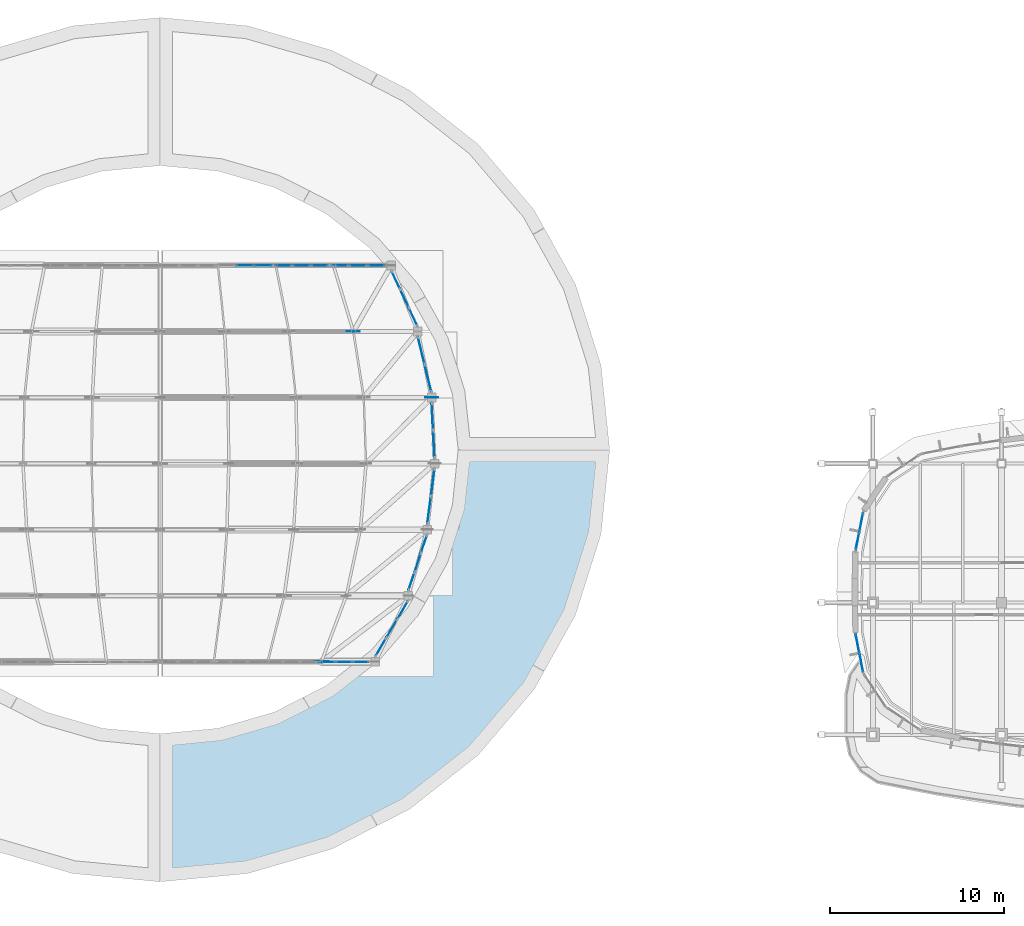
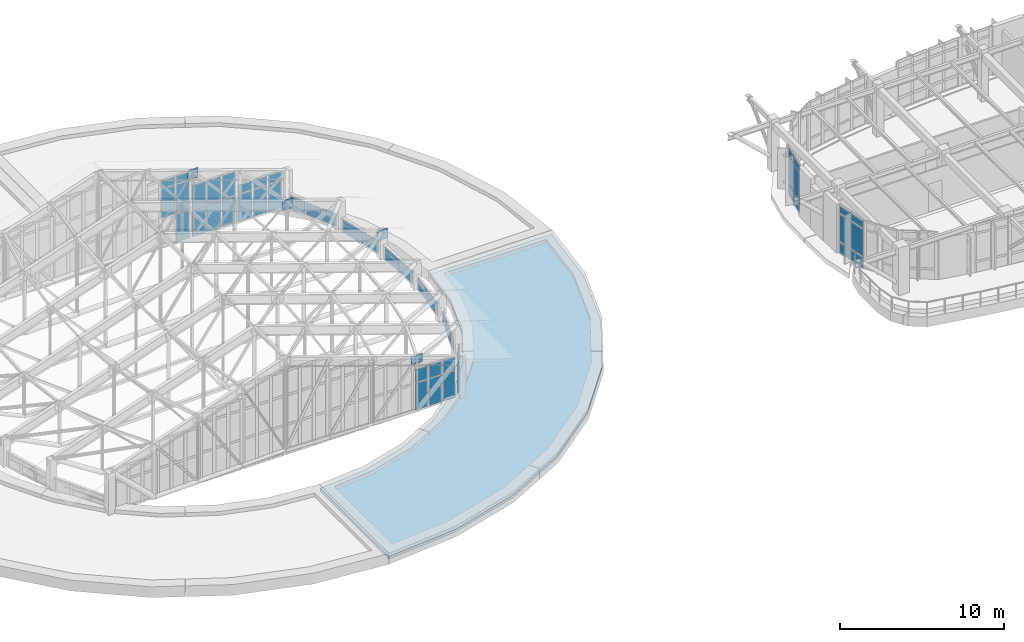
# One storey, part 61 of 105: 54 plates, 1 slab, 12 elements without a shape of their own.
"""IFC4 building model written with IfcOpenShell, lengths in metres."""

from ifc_helpers import new_model, si_unit, direction, frame, origin, origin_2d, place, context, subcontext, project, spatial, polyline, rectangle, outline, extrude, material, layer, layer_set, type_object, element, aggregate, save


model = new_model("IFC4")

# Units and contexts
model_context = context("Model", 3, precision=1e-05, world=origin(), true_north=direction((0.0, 1.0)))
body_context = subcontext(model_context, "Body", "Model", "MODEL_VIEW")
ifc_project = project(units=[si_unit("LENGTHUNIT", "METRE"), si_unit("AREAUNIT", "SQUARE_METRE"), si_unit("VOLUMEUNIT", "CUBIC_METRE"), si_unit("PLANEANGLEUNIT", "RADIAN"), si_unit("MASSUNIT", "GRAM", prefix="KILO")], contexts=[model_context])

# Site, building, storey
site_placement = place(None, origin())
site = spatial("IfcSite", under=ifc_project, at=site_placement, CompositionType="ELEMENT")
building_placement = place(site_placement, origin())
building = spatial("IfcBuilding", under=site, at=building_placement, Name="Corveleigh Park Community Centre", CompositionType="ELEMENT")
storey_placement = place(building_placement, frame((0.0, 0.0, 8.699951171875)))
storey = spatial("IfcBuildingStorey", under=building, at=storey_placement, Name="L02", CompositionType="ELEMENT", Elevation=8.699951171875)

# Curtain wall, plates
ifc_material_1 = material(Name="Anodised aluminium 6063-T6", Category="aluminium")
curtain_wall_type_1 = type_object("IfcCurtainWallType", Name="CW-SYS-V1-DRUM", PredefinedType="NOTDEFINED", material=ifc_material_1)
curtain_wall_1_placement = place(storey_placement, origin())
curtain_wall_1 = element("IfcCurtainWall", 1, at=curtain_wall_1_placement, inside=storey, type_object=curtain_wall_type_1, Name="Main Hall S Gable Clerestory 8", PredefinedType="NOTDEFINED")
ifc_material_2 = material(Name="Low-E double glazing", Category="glass")
ifc_layer_1 = layer(ifc_material_2, 0.028076171875, Name="Low-E double glazing", Category="glass")
ifc_layer_set_1 = layer_set([ifc_layer_1], Name="Low-E double glazing")
plate_type_1 = type_object("IfcPlateType", Name="CWP-GLZ-28", PredefinedType="CURTAIN_PANEL", material=ifc_layer_set_1)
plate_1_placement = place(storey_placement, frame((40.6064453125, 15.39990234375, 0.070068359375), z_axis=(0.0, 0.0, 1.0), x_axis=(1.0, 0.0, 0.0)))
plate_1 = element("IfcPlate", 2, at=plate_1_placement, type_object=plate_type_1, Name="CW02 panel 1.1", PredefinedType="CURTAIN_PANEL", context=body_context, shape_type="SweptSolid", body=[
    extrude(rectangle(XDim=0.874755859375, YDim=0.028076171875, at=origin_2d()), origin(), (0.0, 0.0, 1.0), 1.9951171875),
])
plate_2_placement = place(storey_placement, frame((40.6064453125, 15.39990234375, 2.13525390625), z_axis=(0.0, 0.0, 1.0), x_axis=(1.0, 0.0, 0.0)))
plate_2 = element("IfcPlate", 3, at=plate_2_placement, type_object=plate_type_1, Name="CW02 panel 1.2", PredefinedType="CURTAIN_PANEL", context=body_context, shape_type="SweptSolid", body=[
    extrude(rectangle(XDim=0.874755859375, YDim=0.028076171875, at=origin_2d()), origin(), (0.0, 0.0, 1.0), 0.966064453125),
])
plate_3_placement = place(storey_placement, frame((41.574951171875, 15.39990234375, 0.070068359375), z_axis=(0.0, 0.0, 1.0), x_axis=(1.0, 0.0, 0.0)))
plate_3 = element("IfcPlate", 4, at=plate_3_placement, type_object=plate_type_1, Name="CW02 panel 2.1", PredefinedType="CURTAIN_PANEL", context=body_context, shape_type="SweptSolid", body=[
    extrude(rectangle(XDim=0.912353515625, YDim=0.028076171875, at=origin_2d()), origin(), (0.0, 0.0, 1.0), 1.9951171875),
])
plate_4_placement = place(storey_placement, frame((41.574951171875, 15.39990234375, 2.13525390625), z_axis=(0.0, 0.0, 1.0), x_axis=(1.0, 0.0, 0.0)))
plate_4 = element("IfcPlate", 5, at=plate_4_placement, type_object=plate_type_1, Name="CW02 panel 2.2", PredefinedType="CURTAIN_PANEL", context=body_context, shape_type="SweptSolid", body=[
    extrude(rectangle(XDim=0.912353515625, YDim=0.028076171875, at=origin_2d()), origin(), (0.0, 0.0, 1.0), 0.966064453125),
])
plate_5_placement = place(storey_placement, frame((42.543701171875, 15.39990234375, 0.070068359375), z_axis=(0.0, 0.0, 1.0), x_axis=(1.0, 0.0, 0.0)))
plate_5 = element("IfcPlate", 6, at=plate_5_placement, type_object=plate_type_1, Name="CW02 panel 3.1", PredefinedType="CURTAIN_PANEL", context=body_context, shape_type="SweptSolid", body=[
    extrude(rectangle(XDim=0.874755859375, YDim=0.028076171875, at=origin_2d()), origin(), (0.0, 0.0, 1.0), 1.9951171875),
])
plate_6_placement = place(storey_placement, frame((42.543701171875, 15.39990234375, 2.13525390625), z_axis=(0.0, 0.0, 1.0), x_axis=(1.0, 0.0, 0.0)))
plate_6 = element("IfcPlate", 7, at=plate_6_placement, type_object=plate_type_1, Name="CW02 panel 3.2", PredefinedType="CURTAIN_PANEL", context=body_context, shape_type="SweptSolid", body=[
    extrude(rectangle(XDim=0.874755859375, YDim=0.028076171875, at=origin_2d()), origin(), (0.0, 0.0, 1.0), 0.966064453125),
])
aggregate(curtain_wall_1, [plate_1, plate_2, plate_3, plate_4, plate_5, plate_6])

curtain_wall_2_placement = place(storey_placement, origin())
curtain_wall_2 = element("IfcCurtainWall", 8, at=curtain_wall_2_placement, inside=storey, type_object=curtain_wall_type_1, Name="Main Hall N Gable Clerestory 6", PredefinedType="NOTDEFINED")
plate_7_placement = place(storey_placement, frame((36.924072265625, 38.199951171875, 0.06982421875), z_axis=(0.0, 0.0, 1.0), x_axis=(-1.0, 0.0, 0.0)))
plate_7 = element("IfcPlate", 9, at=plate_7_placement, type_object=plate_type_1, Name="CW02 panel 1.1", PredefinedType="CURTAIN_PANEL", context=body_context, shape_type="SweptSolid", body=[
    extrude(rectangle(XDim=0.951904296875, YDim=0.028076171875, at=origin_2d()), origin(), (0.0, 0.0, 1.0), 2.094970703125),
])
plate_8_placement = place(storey_placement, frame((36.924072265625, 38.199951171875, 2.235107421875), z_axis=(0.0, 0.0, 1.0), x_axis=(-1.0, 0.0, 0.0)))
plate_8 = element("IfcPlate", 10, at=plate_8_placement, type_object=plate_type_1, Name="CW02 panel 1.2", PredefinedType="CURTAIN_PANEL", context=body_context, shape_type="SweptSolid", body=[
    extrude(rectangle(XDim=0.951904296875, YDim=0.028076171875, at=origin_2d()), origin(), (0.0, 0.0, 1.0), 2.1298828125),
])
plate_9_placement = place(storey_placement, frame((36.924072265625, 38.199951171875, 4.43505859375), z_axis=(0.0, 0.0, 1.0), x_axis=(-1.0, 0.0, 0.0)))
plate_9 = element("IfcPlate", 11, at=plate_9_placement, type_object=plate_type_1, Name="CW02 panel 1.3", PredefinedType="CURTAIN_PANEL", context=body_context, shape_type="SweptSolid", body=[
    extrude(rectangle(XDim=0.951904296875, YDim=0.028076171875, at=origin_2d()), origin(), (0.0, 0.0, 1.0), 0.572998046875),
])
plate_10_placement = place(storey_placement, frame((35.87841796875, 38.199951171875, 2.235107421875), z_axis=(0.0, 0.0, 1.0), x_axis=(-1.0, 0.0, 0.0)))
plate_10 = element("IfcPlate", 12, at=plate_10_placement, type_object=plate_type_1, Name="CW02 panel 2.2", PredefinedType="CURTAIN_PANEL", context=body_context, shape_type="SweptSolid", body=[
    extrude(rectangle(XDim=0.9892578125, YDim=0.028076171875, at=origin_2d()), origin(), (0.0, 0.0, 1.0), 2.1298828125),
])
plate_11_placement = place(storey_placement, frame((35.87841796875, 38.199951171875, 4.43505859375), z_axis=(0.0, 0.0, 1.0), x_axis=(-1.0, 0.0, 0.0)))
plate_11 = element("IfcPlate", 13, at=plate_11_placement, type_object=plate_type_1, Name="CW02 panel 2.3", PredefinedType="CURTAIN_PANEL", context=body_context, shape_type="SweptSolid", body=[
    extrude(rectangle(XDim=0.9892578125, YDim=0.028076171875, at=origin_2d()), origin(), (0.0, 0.0, 1.0), 0.572998046875),
])
aggregate(curtain_wall_2, [plate_7, plate_8, plate_9, plate_10, plate_11])

curtain_wall_3_placement = place(storey_placement, origin())
curtain_wall_3 = element("IfcCurtainWall", 14, at=curtain_wall_3_placement, inside=storey, type_object=curtain_wall_type_1, Name="Main Hall N Gable Clerestory 7", PredefinedType="NOTDEFINED")
plate_12_placement = place(storey_placement, frame((40.17626953125, 38.199951171875, 0.070068359375), z_axis=(0.0, 0.0, 1.0), x_axis=(-1.0, 0.0, 0.0)))
plate_12 = element("IfcPlate", 15, at=plate_12_placement, type_object=plate_type_1, Name="CW02 panel 1.1", PredefinedType="CURTAIN_PANEL", context=body_context, shape_type="SweptSolid", body=[
    extrude(rectangle(XDim=0.951416015625, YDim=0.028076171875, at=origin_2d()), origin(), (0.0, 0.0, 1.0), 1.9951171875),
])
plate_13_placement = place(storey_placement, frame((40.17626953125, 38.199951171875, 2.13525390625), z_axis=(0.0, 0.0, 1.0), x_axis=(-1.0, 0.0, 0.0)))
plate_13 = element("IfcPlate", 16, at=plate_13_placement, type_object=plate_type_1, Name="CW02 panel 1.2", PredefinedType="CURTAIN_PANEL", context=body_context, shape_type="SweptSolid", body=[
    extrude(rectangle(XDim=0.951416015625, YDim=0.028076171875, at=origin_2d()), origin(), (0.0, 0.0, 1.0), 1.761962890625),
])
plate_14_placement = place(storey_placement, frame((39.131103515625, 38.199951171875, 0.070068359375), z_axis=(0.0, 0.0, 1.0), x_axis=(-1.0, 0.0, 0.0)))
plate_14 = element("IfcPlate", 17, at=plate_14_placement, type_object=plate_type_1, Name="CW02 panel 2.1", PredefinedType="CURTAIN_PANEL", context=body_context, shape_type="SweptSolid", body=[
    extrude(rectangle(XDim=0.989013671875, YDim=0.028076171875, at=origin_2d()), origin(), (0.0, 0.0, 1.0), 1.9951171875),
])
plate_15_placement = place(storey_placement, frame((39.131103515625, 38.199951171875, 2.13525390625), z_axis=(0.0, 0.0, 1.0), x_axis=(-1.0, 0.0, 0.0)))
plate_15 = element("IfcPlate", 18, at=plate_15_placement, type_object=plate_type_1, Name="CW02 panel 2.2", PredefinedType="CURTAIN_PANEL", context=body_context, shape_type="SweptSolid", body=[
    extrude(rectangle(XDim=0.989013671875, YDim=0.028076171875, at=origin_2d()), origin(), (0.0, 0.0, 1.0), 1.761962890625),
])
plate_16_placement = place(storey_placement, frame((38.085693359375, 38.199951171875, 0.070068359375), z_axis=(0.0, 0.0, 1.0), x_axis=(-1.0, 0.0, 0.0)))
plate_16 = element("IfcPlate", 19, at=plate_16_placement, type_object=plate_type_1, Name="CW02 panel 3.1", PredefinedType="CURTAIN_PANEL", context=body_context, shape_type="SweptSolid", body=[
    extrude(rectangle(XDim=0.951416015625, YDim=0.028076171875, at=origin_2d()), origin(), (0.0, 0.0, 1.0), 1.9951171875),
])
plate_17_placement = place(storey_placement, frame((38.085693359375, 38.199951171875, 2.13525390625), z_axis=(0.0, 0.0, 1.0), x_axis=(-1.0, 0.0, 0.0)))
plate_17 = element("IfcPlate", 20, at=plate_17_placement, type_object=plate_type_1, Name="CW02 panel 3.2", PredefinedType="CURTAIN_PANEL", context=body_context, shape_type="SweptSolid", body=[
    extrude(rectangle(XDim=0.951416015625, YDim=0.028076171875, at=origin_2d()), origin(), (0.0, 0.0, 1.0), 1.761962890625),
])
aggregate(curtain_wall_3, [plate_12, plate_13, plate_14, plate_15, plate_16, plate_17])

curtain_wall_4_placement = place(storey_placement, origin())
curtain_wall_4 = element("IfcCurtainWall", 21, at=curtain_wall_4_placement, inside=storey, type_object=curtain_wall_type_1, Name="Main Hall N Gable Clerestory 8", PredefinedType="NOTDEFINED")
plate_18_placement = place(storey_placement, frame((43.42919921875, 38.199951171875, 0.070068359375), z_axis=(0.0, 0.0, 1.0), x_axis=(-1.0, 0.0, 0.0)))
plate_18 = element("IfcPlate", 22, at=plate_18_placement, type_object=plate_type_1, Name="CW02 panel 1.1", PredefinedType="CURTAIN_PANEL", context=body_context, shape_type="SweptSolid", body=[
    extrude(rectangle(XDim=0.951416015625, YDim=0.028076171875, at=origin_2d()), origin(), (0.0, 0.0, 1.0), 1.9951171875),
])
plate_19_placement = place(storey_placement, frame((43.42919921875, 38.199951171875, 2.135009765625), z_axis=(0.0, 0.0, 1.0), x_axis=(-1.0, 0.0, 0.0)))
plate_19 = element("IfcPlate", 23, at=plate_19_placement, type_object=plate_type_1, Name="CW02 panel 1.2", PredefinedType="CURTAIN_PANEL", context=body_context, shape_type="SweptSolid", body=[
    extrude(rectangle(XDim=0.951416015625, YDim=0.028076171875, at=origin_2d()), origin(), (0.0, 0.0, 1.0), 0.64990234375),
])
plate_20_placement = place(storey_placement, frame((42.384033203125, 38.199951171875, 0.070068359375), z_axis=(0.0, 0.0, 1.0), x_axis=(-1.0, 0.0, 0.0)))
plate_20 = element("IfcPlate", 24, at=plate_20_placement, type_object=plate_type_1, Name="CW02 panel 2.1", PredefinedType="CURTAIN_PANEL", context=body_context, shape_type="SweptSolid", body=[
    extrude(rectangle(XDim=0.989013671875, YDim=0.028076171875, at=origin_2d()), origin(), (0.0, 0.0, 1.0), 1.9951171875),
])
plate_21_placement = place(storey_placement, frame((42.384033203125, 38.199951171875, 2.135009765625), z_axis=(0.0, 0.0, 1.0), x_axis=(-1.0, 0.0, 0.0)))
plate_21 = element("IfcPlate", 25, at=plate_21_placement, type_object=plate_type_1, Name="CW02 panel 2.2", PredefinedType="CURTAIN_PANEL", context=body_context, shape_type="SweptSolid", body=[
    extrude(rectangle(XDim=0.989013671875, YDim=0.028076171875, at=origin_2d()), origin(), (0.0, 0.0, 1.0), 0.64990234375),
])
plate_22_placement = place(storey_placement, frame((41.3388671875, 38.199951171875, 0.070068359375), z_axis=(0.0, 0.0, 1.0), x_axis=(-1.0, 0.0, 0.0)))
plate_22 = element("IfcPlate", 26, at=plate_22_placement, type_object=plate_type_1, Name="CW02 panel 3.1", PredefinedType="CURTAIN_PANEL", context=body_context, shape_type="SweptSolid", body=[
    extrude(rectangle(XDim=0.951416015625, YDim=0.028076171875, at=origin_2d()), origin(), (0.0, 0.0, 1.0), 1.9951171875),
])
plate_23_placement = place(storey_placement, frame((41.3388671875, 38.199951171875, 2.135009765625), z_axis=(0.0, 0.0, 1.0), x_axis=(-1.0, 0.0, 0.0)))
plate_23 = element("IfcPlate", 27, at=plate_23_placement, type_object=plate_type_1, Name="CW02 panel 3.2", PredefinedType="CURTAIN_PANEL", context=body_context, shape_type="SweptSolid", body=[
    extrude(rectangle(XDim=0.951416015625, YDim=0.028076171875, at=origin_2d()), origin(), (0.0, 0.0, 1.0), 0.64990234375),
])
aggregate(curtain_wall_4, [plate_18, plate_19, plate_20, plate_21, plate_22, plate_23])

curtain_wall_type_2 = type_object("IfcCurtainWallType", Name="CW-SYS-V1-L00", PredefinedType="NOTDEFINED", material=ifc_material_1)
curtain_wall_5_placement = place(storey_placement, origin())
curtain_wall_5 = element("IfcCurtainWall", 28, at=curtain_wall_5_placement, inside=storey, type_object=curtain_wall_type_2, Name="Main Hall East Eave Clerestory 1", PredefinedType="NOTDEFINED")
plate_24_placement = place(storey_placement, frame((44.947998046875, 18.364990234375, 0.06494140625), z_axis=(0.0, 0.0, 1.0), x_axis=(-0.507635913283, -0.861571691471, 0.0)))
plate_24 = element("IfcPlate", 29, at=plate_24_placement, type_object=plate_type_1, Name="CW01 panel 1.1", PredefinedType="CURTAIN_PANEL", context=body_context, shape_type="SweptSolid", body=[
    extrude(rectangle(XDim=1.1484375, YDim=0.028076171875, at=origin_2d()), origin(), (0.0, 0.0, 1.0), 0.929931640625),
])
plate_25_placement = place(storey_placement, frame((44.320556640625, 17.300048828125, 0.06494140625), z_axis=(0.0, 0.0, 1.0), x_axis=(-0.507635913283, -0.861571691471, 0.0)))
plate_25 = element("IfcPlate", 30, at=plate_25_placement, type_object=plate_type_1, Name="CW01 panel 2.1", PredefinedType="CURTAIN_PANEL", context=body_context, shape_type="SweptSolid", body=[
    extrude(rectangle(XDim=1.18359375, YDim=0.028076171875, at=origin_2d()), origin(), (0.0, 0.0, 1.0), 0.929931640625),
])
plate_26_placement = place(storey_placement, frame((43.693115234375, 16.235107421875, 0.06494140625), z_axis=(0.0, 0.0, 1.0), x_axis=(-0.507635913283, -0.861571691471, 0.0)))
plate_26 = element("IfcPlate", 31, at=plate_26_placement, type_object=plate_type_1, Name="CW01 panel 3.1", PredefinedType="CURTAIN_PANEL", context=body_context, shape_type="SweptSolid", body=[
    extrude(rectangle(XDim=1.1484375, YDim=0.028076171875, at=origin_2d()), origin(), (0.0, 0.0, 1.0), 0.929931640625),
])
aggregate(curtain_wall_5, [plate_24, plate_25, plate_26])

curtain_wall_6_placement = place(storey_placement, origin())
curtain_wall_6 = element("IfcCurtainWall", 32, at=curtain_wall_6_placement, inside=storey, type_object=curtain_wall_type_2, Name="Main Hall East Eave Clerestory 2", PredefinedType="NOTDEFINED")
plate_27_placement = place(storey_placement, frame((46.1728515625, 22.163330078125, 0.06494140625), z_axis=(0.0, 0.0, 1.0), x_axis=(-0.317281272599, -0.948331478998, 0.0)))
plate_27 = element("IfcPlate", 33, at=plate_27_placement, type_object=plate_type_1, Name="CW01 panel 1.1", PredefinedType="CURTAIN_PANEL", context=body_context, shape_type="SweptSolid", body=[
    extrude(rectangle(XDim=1.033935546875, YDim=0.028076171875, at=origin_2d()), origin(), (0.0, 0.0, 1.0), 0.929931640625),
])
plate_28_placement = place(storey_placement, frame((45.81689453125, 21.10009765625, 0.06494140625), z_axis=(0.0, 0.0, 1.0), x_axis=(-0.317281272599, -0.948331478998, 0.0)))
plate_28 = element("IfcPlate", 34, at=plate_28_placement, type_object=plate_type_1, Name="CW01 panel 2.1", PredefinedType="CURTAIN_PANEL", context=body_context, shape_type="SweptSolid", body=[
    extrude(rectangle(XDim=1.06884765625, YDim=0.028076171875, at=origin_2d()), origin(), (0.0, 0.0, 1.0), 0.929931640625),
])
plate_29_placement = place(storey_placement, frame((45.461181640625, 20.03662109375, 0.06494140625), z_axis=(0.0, 0.0, 1.0), x_axis=(-0.317281272599, -0.948331478998, 0.0)))
plate_29 = element("IfcPlate", 35, at=plate_29_placement, type_object=plate_type_1, Name="CW01 panel 3.1", PredefinedType="CURTAIN_PANEL", context=body_context, shape_type="SweptSolid", body=[
    extrude(rectangle(XDim=1.033935546875, YDim=0.028076171875, at=origin_2d()), origin(), (0.0, 0.0, 1.0), 0.929931640625),
])
aggregate(curtain_wall_6, [plate_27, plate_28, plate_29])

curtain_wall_7_placement = place(storey_placement, origin())
curtain_wall_7 = element("IfcCurtainWall", 36, at=curtain_wall_7_placement, inside=storey, type_object=curtain_wall_type_2, Name="Main Hall East Eave Clerestory 3", PredefinedType="NOTDEFINED")
plate_30_placement = place(storey_placement, frame((46.677734375, 25.692626953125, 0.06494140625), z_axis=(0.0, 0.0, 1.0), x_axis=(-0.130961066405, -0.991387512069, 0.0)))
plate_30 = element("IfcPlate", 37, at=plate_30_placement, type_object=plate_type_1, Name="CW01 panel 1.1", PredefinedType="CURTAIN_PANEL", context=body_context, shape_type="SweptSolid", body=[
    extrude(rectangle(XDim=1.529052734375, YDim=0.028076171875, at=origin_2d()), origin(), (0.0, 0.0, 1.0), 0.929931640625),
])
plate_31_placement = place(storey_placement, frame((46.46826171875, 24.107421875, 0.06494140625), z_axis=(0.0, 0.0, 1.0), x_axis=(-0.130961066405, -0.991387512069, 0.0)))
plate_31 = element("IfcPlate", 38, at=plate_31_placement, type_object=plate_type_1, Name="CW01 panel 2.1", PredefinedType="CURTAIN_PANEL", context=body_context, shape_type="SweptSolid", body=[
    extrude(rectangle(XDim=1.529052734375, YDim=0.028076171875, at=origin_2d()), origin(), (0.0, 0.0, 1.0), 0.929931640625),
])
aggregate(curtain_wall_7, [plate_30, plate_31])

curtain_wall_8_placement = place(storey_placement, origin())
curtain_wall_8 = element("IfcCurtainWall", 39, at=curtain_wall_8_placement, inside=storey, type_object=curtain_wall_type_2, Name="Main Hall East Eave Clerestory 4", PredefinedType="NOTDEFINED")
plate_32_placement = place(storey_placement, frame((46.658203125, 29.492431640625, 0.06494140625), z_axis=(0.0, 0.0, 1.0), x_axis=(0.053319108566, -0.998577524613, 0.0)))
plate_32 = element("IfcPlate", 40, at=plate_32_placement, type_object=plate_type_1, Name="CW01 panel 1.1", PredefinedType="CURTAIN_PANEL", context=body_context, shape_type="SweptSolid", body=[
    extrude(rectangle(XDim=1.517333984375, YDim=0.028076171875, at=origin_2d()), origin(), (0.0, 0.0, 1.0), 0.929931640625),
])
plate_33_placement = place(storey_placement, frame((46.742919921875, 27.907470703125, 0.06494140625), z_axis=(0.0, 0.0, 1.0), x_axis=(0.053319108566, -0.998577524613, 0.0)))
plate_33 = element("IfcPlate", 41, at=plate_33_placement, type_object=plate_type_1, Name="CW01 panel 2.1", PredefinedType="CURTAIN_PANEL", context=body_context, shape_type="SweptSolid", body=[
    extrude(rectangle(XDim=1.517333984375, YDim=0.028076171875, at=origin_2d()), origin(), (0.0, 0.0, 1.0), 0.929931640625),
])
aggregate(curtain_wall_8, [plate_32, plate_33])

curtain_wall_9_placement = place(storey_placement, origin())
curtain_wall_9 = element("IfcCurtainWall", 42, at=curtain_wall_9_placement, inside=storey, type_object=curtain_wall_type_2, Name="Main Hall East Eave Clerestory 5", PredefinedType="NOTDEFINED")
plate_34_placement = place(storey_placement, frame((46.02197265625, 33.29296875, 0.06494140625), z_axis=(0.0, 0.0, 1.0), x_axis=(0.238301547662, -0.971191213089, 0.0)))
plate_34 = element("IfcPlate", 43, at=plate_34_placement, type_object=plate_type_1, Name="CW01 panel 1.1", PredefinedType="CURTAIN_PANEL", context=body_context, shape_type="SweptSolid", body=[
    extrude(rectangle(XDim=1.56298828125, YDim=0.028076171875, at=origin_2d()), origin(), (0.0, 0.0, 1.0), 0.929931640625),
])
plate_35_placement = place(storey_placement, frame((46.4111328125, 31.70703125, 0.06494140625), z_axis=(0.0, 0.0, 1.0), x_axis=(0.238301547662, -0.971191213089, 0.0)))
plate_35 = element("IfcPlate", 44, at=plate_35_placement, type_object=plate_type_1, Name="CW01 panel 2.1", PredefinedType="CURTAIN_PANEL", context=body_context, shape_type="SweptSolid", body=[
    extrude(rectangle(XDim=1.56298828125, YDim=0.028076171875, at=origin_2d()), origin(), (0.0, 0.0, 1.0), 0.929931640625),
])
aggregate(curtain_wall_9, [plate_34, plate_35])

curtain_wall_10_placement = place(storey_placement, origin())
curtain_wall_10 = element("IfcCurtainWall", 45, at=curtain_wall_10_placement, inside=storey, type_object=curtain_wall_type_2, Name="Main Hall East Eave Clerestory 6", PredefinedType="NOTDEFINED")
plate_36_placement = place(storey_placement, frame((44.55224609375, 37.3642578125, 0.06494140625), z_axis=(0.0, 0.0, 1.0), x_axis=(0.426778063068, -0.904356392626, 0.0)))
plate_36 = element("IfcPlate", 46, at=plate_36_placement, type_object=plate_type_1, Name="CW01 panel 1.1", PredefinedType="CURTAIN_PANEL", context=body_context, shape_type="SweptSolid", body=[
    extrude(rectangle(XDim=1.089111328125, YDim=0.028076171875, at=origin_2d()), origin(), (0.0, 0.0, 1.0), 0.929931640625),
])
plate_37_placement = place(storey_placement, frame((45.054443359375, 36.300048828125, 0.06494140625), z_axis=(0.0, 0.0, 1.0), x_axis=(0.426778063068, -0.904356392626, 0.0)))
plate_37 = element("IfcPlate", 47, at=plate_37_placement, type_object=plate_type_1, Name="CW01 panel 2.1", PredefinedType="CURTAIN_PANEL", context=body_context, shape_type="SweptSolid", body=[
    extrude(rectangle(XDim=1.124267578125, YDim=0.028076171875, at=origin_2d()), origin(), (0.0, 0.0, 1.0), 0.929931640625),
])
plate_38_placement = place(storey_placement, frame((45.556640625, 35.23583984375, 0.06494140625), z_axis=(0.0, 0.0, 1.0), x_axis=(0.426778063068, -0.904356392626, 0.0)))
plate_38 = element("IfcPlate", 48, at=plate_38_placement, type_object=plate_type_1, Name="CW01 panel 3.1", PredefinedType="CURTAIN_PANEL", context=body_context, shape_type="SweptSolid", body=[
    extrude(rectangle(XDim=1.089111328125, YDim=0.028076171875, at=origin_2d()), origin(), (0.0, 0.0, 1.0), 0.929931640625),
])
aggregate(curtain_wall_10, [plate_36, plate_37, plate_38])

curtain_wall_type_3 = type_object("IfcCurtainWallType", Name="CW-SYS-V3-UPP", PredefinedType="NOTDEFINED", material=ifc_material_1)
curtain_wall_11_placement = place(storey_placement, origin())
curtain_wall_11 = element("IfcCurtainWall", 49, at=curtain_wall_11_placement, inside=storey, type_object=curtain_wall_type_3, Name="V3 L02 Curtain Wall 354", PredefinedType="NOTDEFINED")
ifc_layer_2 = layer(ifc_material_2, 0.031982421875, Name="Low-E double glazing", Category="glass")
ifc_layer_set_2 = layer_set([ifc_layer_2], Name="Low-E double glazing")
plate_type_2 = type_object("IfcPlateType", Name="CWP-GLZ-32", PredefinedType="CURTAIN_PANEL", material=ifc_layer_set_2)
plate_39_placement = place(storey_placement, frame((71.12060546875, 22.3583984375, 0.074951171875), z_axis=(0.0, 0.0, 1.0), x_axis=(0.194772230896, 0.980848499041, 0.0)))
plate_39 = element("IfcPlate", 50, at=plate_39_placement, type_object=plate_type_2, Name="CW06 panel 1.1", PredefinedType="CURTAIN_PANEL", context=body_context, shape_type="SweptSolid", body=[
    extrude(rectangle(XDim=1.017333984375, YDim=0.031982421875, at=origin_2d()), origin(), (0.0, 0.0, 1.0), 0.78759765625),
])
plate_40_placement = place(storey_placement, frame((71.12060546875, 22.3583984375, 0.9375), z_axis=(0.0, 0.0, 1.0), x_axis=(0.194772230896, 0.980848499041, 0.0)))
plate_40 = element("IfcPlate", 51, at=plate_40_placement, type_object=plate_type_2, Name="CW06 panel 1.2", PredefinedType="CURTAIN_PANEL", context=body_context, shape_type="SweptSolid", body=[
    extrude(rectangle(XDim=1.017333984375, YDim=0.031982421875, at=origin_2d()), origin(), (0.0, 0.0, 1.0), 2.0390625),
])
plate_41_placement = place(storey_placement, frame((71.12060546875, 22.3583984375, 3.051513671875), z_axis=(0.0, 0.0, 1.0), x_axis=(0.194772230896, 0.980848499041, 0.0)))
plate_41 = element("IfcPlate", 52, at=plate_41_placement, type_object=plate_type_2, Name="CW06 panel 1.3", PredefinedType="CURTAIN_PANEL", context=body_context, shape_type="SweptSolid", body=[
    extrude(rectangle(XDim=1.017333984375, YDim=0.031982421875, at=origin_2d()), origin(), (0.0, 0.0, 1.0), 0.53759765625),
])
plate_42_placement = place(storey_placement, frame((71.33544921875, 23.439697265625, 0.074951171875), z_axis=(0.0, 0.0, 1.0), x_axis=(0.194772230896, 0.980848499041, 0.0)))
plate_42 = element("IfcPlate", 53, at=plate_42_placement, type_object=plate_type_2, Name="CW06 panel 2.1", PredefinedType="CURTAIN_PANEL", context=body_context, shape_type="SweptSolid", body=[
    extrude(rectangle(XDim=1.017333984375, YDim=0.031982421875, at=origin_2d()), origin(), (0.0, 0.0, 1.0), 0.78759765625),
])
plate_43_placement = place(storey_placement, frame((71.33544921875, 23.439697265625, 0.9375), z_axis=(0.0, 0.0, 1.0), x_axis=(0.194772230896, 0.980848499041, 0.0)))
plate_43 = element("IfcPlate", 54, at=plate_43_placement, type_object=plate_type_2, Name="CW06 panel 2.2", PredefinedType="CURTAIN_PANEL", context=body_context, shape_type="SweptSolid", body=[
    extrude(rectangle(XDim=1.017333984375, YDim=0.031982421875, at=origin_2d()), origin(), (0.0, 0.0, 1.0), 2.0390625),
])
plate_44_placement = place(storey_placement, frame((71.33544921875, 23.439697265625, 3.051513671875), z_axis=(0.0, 0.0, 1.0), x_axis=(0.194772230896, 0.980848499041, 0.0)))
plate_44 = element("IfcPlate", 55, at=plate_44_placement, type_object=plate_type_2, Name="CW06 panel 2.3", PredefinedType="CURTAIN_PANEL", context=body_context, shape_type="SweptSolid", body=[
    extrude(rectangle(XDim=1.017333984375, YDim=0.031982421875, at=origin_2d()), origin(), (0.0, 0.0, 1.0), 0.53759765625),
])
aggregate(curtain_wall_11, [plate_39, plate_40, plate_41, plate_42, plate_43, plate_44])

curtain_wall_12_placement = place(storey_placement, origin())
curtain_wall_12 = element("IfcCurtainWall", 56, at=curtain_wall_12_placement, inside=storey, type_object=curtain_wall_type_3, Name="V3 L02 Curtain Wall 355", PredefinedType="NOTDEFINED")
ifc_layer_3 = layer(ifc_material_2, 0.035888671875, Name="Low-E double glazing", Category="glass")
ifc_layer_set_3 = layer_set([ifc_layer_3], Name="Low-E double glazing")
plate_type_3 = type_object("IfcPlateType", Name="CWP-GLZ-36", PredefinedType="CURTAIN_PANEL", material=ifc_layer_set_3)
plate_45_placement = place(storey_placement, frame((71.336669921875, 15.354248046875, 0.080078125), z_axis=(0.0, 0.0, 1.0), x_axis=(-0.194772230896, 0.980848499041, 0.0)))
plate_45 = element("IfcPlate", 57, at=plate_45_placement, type_object=plate_type_3, Name="CW06 panel 1.1", PredefinedType="CURTAIN_PANEL", context=body_context, shape_type="SweptSolid", body=[
    extrude(rectangle(XDim=1.054931640625, YDim=0.035888671875, at=origin_2d()), origin(), (0.0, 0.0, 1.0), 0.780029296875),
])
plate_46_placement = place(storey_placement, frame((71.336669921875, 15.354248046875, 0.93994140625), z_axis=(0.0, 0.0, 1.0), x_axis=(-0.194772230896, 0.980848499041, 0.0)))
plate_46 = element("IfcPlate", 58, at=plate_46_placement, type_object=plate_type_3, Name="CW06 panel 1.2", PredefinedType="CURTAIN_PANEL", context=body_context, shape_type="SweptSolid", body=[
    extrude(rectangle(XDim=1.054931640625, YDim=0.035888671875, at=origin_2d()), origin(), (0.0, 0.0, 1.0), 2.033935546875),
])
plate_47_placement = place(storey_placement, frame((71.336669921875, 15.354248046875, 3.05419921875), z_axis=(0.0, 0.0, 1.0), x_axis=(-0.194772230896, 0.980848499041, 0.0)))
plate_47 = element("IfcPlate", 59, at=plate_47_placement, type_object=plate_type_3, Name="CW06 panel 1.3", PredefinedType="CURTAIN_PANEL", context=body_context, shape_type="SweptSolid", body=[
    extrude(rectangle(XDim=1.054931640625, YDim=0.035888671875, at=origin_2d()), origin(), (0.0, 0.0, 1.0), 0.530029296875),
])
plate_48_placement = place(storey_placement, frame((71.119384765625, 16.44775390625, 0.080078125), z_axis=(0.0, 0.0, 1.0), x_axis=(-0.194772230896, 0.980848499041, 0.0)))
plate_48 = element("IfcPlate", 60, at=plate_48_placement, type_object=plate_type_3, Name="CW06 panel 2.1", PredefinedType="CURTAIN_PANEL", context=body_context, shape_type="SweptSolid", body=[
    extrude(rectangle(XDim=1.054931640625, YDim=0.035888671875, at=origin_2d()), origin(), (0.0, 0.0, 1.0), 0.780029296875),
])
plate_49_placement = place(storey_placement, frame((71.119384765625, 16.44775390625, 0.93994140625), z_axis=(0.0, 0.0, 1.0), x_axis=(-0.194772230896, 0.980848499041, 0.0)))
plate_49 = element("IfcPlate", 61, at=plate_49_placement, type_object=plate_type_3, Name="CW06 panel 2.2", PredefinedType="CURTAIN_PANEL", context=body_context, shape_type="SweptSolid", body=[
    extrude(rectangle(XDim=1.054931640625, YDim=0.035888671875, at=origin_2d()), origin(), (0.0, 0.0, 1.0), 2.033935546875),
])
plate_50_placement = place(storey_placement, frame((71.119384765625, 16.44775390625, 3.05419921875), z_axis=(0.0, 0.0, 1.0), x_axis=(-0.194772230896, 0.980848499041, 0.0)))
plate_50 = element("IfcPlate", 62, at=plate_50_placement, type_object=plate_type_3, Name="CW06 panel 2.3", PredefinedType="CURTAIN_PANEL", context=body_context, shape_type="SweptSolid", body=[
    extrude(rectangle(XDim=1.054931640625, YDim=0.035888671875, at=origin_2d()), origin(), (0.0, 0.0, 1.0), 0.530029296875),
])
aggregate(curtain_wall_12, [plate_45, plate_46, plate_47, plate_48, plate_49, plate_50])

# Plates
ifc_material_3 = material(Name="Steel S355", Category="steel")
ifc_layer_4 = layer(ifc_material_3, 0.030029296875, Name="Steel S355", Category="steel")
ifc_layer_set_4 = layer_set([ifc_layer_4], Name="Steel S355")
plate_type_4 = type_object("IfcPlateType", Name="PLT-GUS-30", PredefinedType="SHEET", material=ifc_layer_set_4)
for number, where, z_axis, x_axis, name in (
    (63, (46.614013671875, 30.60009765625, 1.310302734375), (0.0, 0.0, 1.0), (1.0, 0.0, 0.0), "V1 Truss T5 Gusset"),
    (64, (42.114013671875, 34.39990234375, 2.84765625), (0.0, 0.0, 1.0), (1.0, 0.0, 0.0), "V1 Truss T6 Gusset"),
    (65, (37.64501953125, 38.199951171875, 4.374755859375), (0.0, 0.0, 1.0), (1.0, 0.0, 0.0), "V1 Truss T7 Gusset"),
):
    element("IfcPlate", number, at=place(storey_placement, frame(where, z_axis=z_axis, x_axis=x_axis)), inside=storey, type_object=plate_type_4, Name=name, PredefinedType="SHEET", context=body_context, shape_type="SweptSolid", body=[
        extrude(rectangle(XDim=0.75, YDim=0.030029296875, at=origin_2d()), origin(), (0.0, 0.0, 1.0), 0.75),
    ])
ifc_layer_5 = layer(ifc_material_3, 0.031982421875, Name="Steel S355", Category="steel")
ifc_layer_set_5 = layer_set([ifc_layer_5], Name="Steel S355")
plate_type_5 = type_object("IfcPlateType", Name="PLT-NOD-32", PredefinedType="SHEET", material=ifc_layer_set_5)
plate_51_placement = place(storey_placement, frame((40.27490234375, 15.39990234375, 3.551025390625), z_axis=(0.0, 0.0, 1.0), x_axis=(1.0, 0.0, 0.0)))
element("IfcPlate", 66, at=plate_51_placement, inside=storey, type_object=plate_type_5, Name="V1 Truss T1 Gusset", PredefinedType="SHEET", context=body_context, shape_type="SweptSolid", body=[
    extrude(rectangle(XDim=0.820068359375, YDim=0.031982421875, at=origin_2d()), origin(), (0.0, 0.0, 1.0), 0.60009765625),
])

# Slab
ifc_material_4 = material(Name="Concrete C32/40", Category="concrete")
ifc_layer_6 = layer(ifc_material_4, 0.205078125, Name="Concrete C32/40", Category="concrete")
ifc_layer_set_6 = layer_set([ifc_layer_6], Name="Concrete C32/40")
slab_type = type_object("IfcSlabType", Name="SLB-CAN-205", PredefinedType="ROOF", material=ifc_layer_set_6)
slab_placement = place(storey_placement, frame((0.0, 0.0, -0.204833984375)))
element("IfcSlab", 67, at=slab_placement, inside=storey, type_object=slab_type, Name="Main Hall Curved Overhang Band 4", PredefinedType="ROOF", context=body_context, shape_type="SweptSolid", body=[
    extrude(outline(polyline([(31.02099609375, 11.199951171875), (34.35595703125, 11.514892578125), (37.58203125, 12.447998046875), (40.555908203125, 13.964111328125), (43.162109375, 16.0029296875), (45.301025390625, 18.489013671875), (46.89111328125, 21.323974609375), (47.8701171875, 24.40087890625), (48.199951171875, 27.580078125), (56.800048828125, 27.570068359375), (56.303955078125, 22.761962890625), (54.8359375, 18.10888671875), (52.451904296875, 13.822021484375), (49.242919921875, 10.06396484375), (45.333984375, 6.97998046875), (40.873046875, 4.68798828125), (36.032958984375, 3.277099609375), (31.031005859375, 2.800048828125), (31.02099609375, 11.199951171875)])), origin(), (0.0, 0.0, 1.0), 0.204833984375),
])

save(model, "model.ifc")
